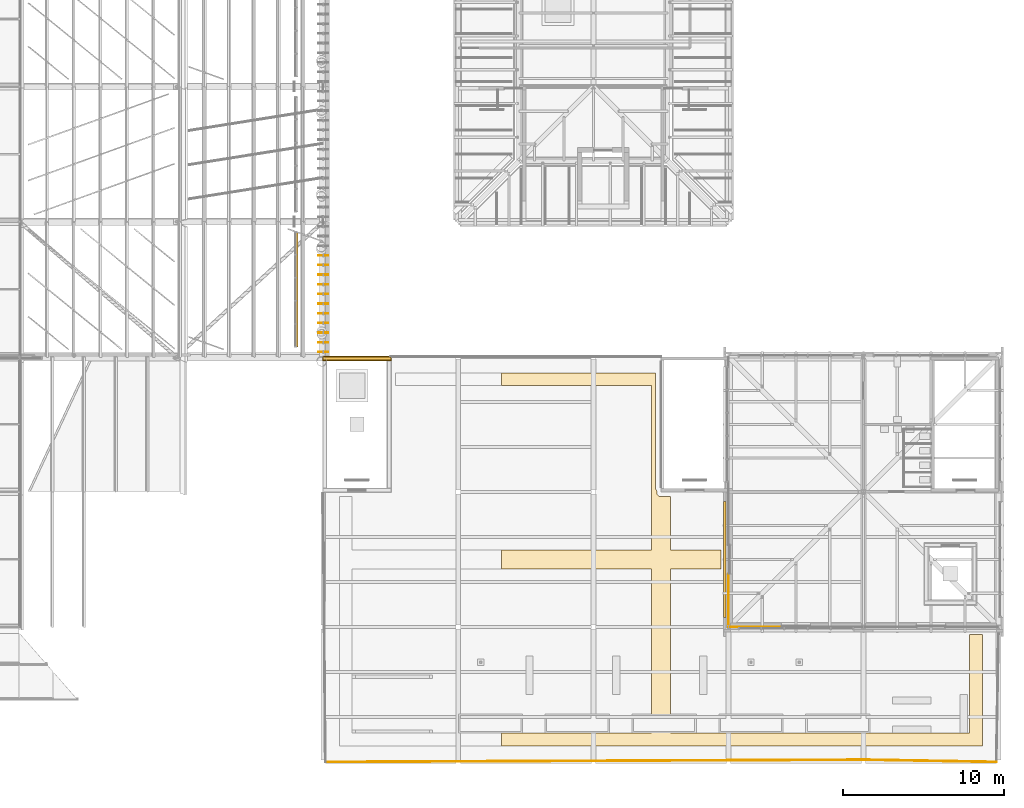
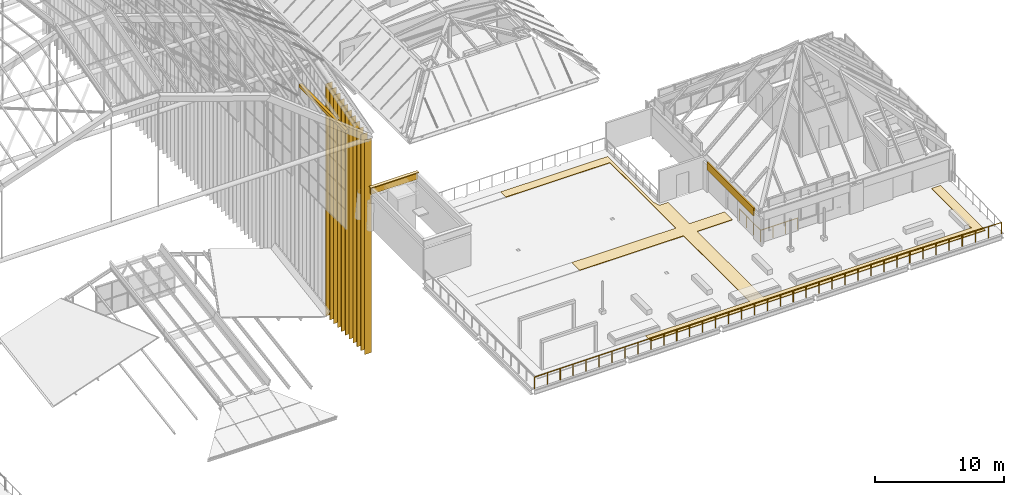
# One storey, part 104 of 126: 11 shading devices, 5 coverings, 4 railings.
"""IFC4 building model written with IfcOpenShell, lengths in metres."""

from ifc_helpers import new_model, si_unit, direction, frame, origin, origin_2d, place, context, subcontext, project, spatial, polyline, rectangle, circle, outline, extrude, material, layer, layer_set, material_profile, profile_set, type_object, element, save


model = new_model("IFC4")

# Units and contexts
model_context = context("Model", 3, precision=1e-05, world=origin(), true_north=direction((0.0, 1.0)))
body_context = subcontext(model_context, "Body", "Model", "MODEL_VIEW")
ifc_project = project(units=[si_unit("LENGTHUNIT", "METRE"), si_unit("AREAUNIT", "SQUARE_METRE"), si_unit("VOLUMEUNIT", "CUBIC_METRE"), si_unit("PLANEANGLEUNIT", "RADIAN"), si_unit("MASSUNIT", "GRAM", prefix="KILO")], contexts=[model_context])

# Site, building, storey
site_placement = place(None, origin())
site = spatial("IfcSite", under=ifc_project, at=site_placement, CompositionType="ELEMENT")
building_placement = place(site_placement, origin())
building = spatial("IfcBuilding", under=site, at=building_placement, Name="Sava Quay Ferry Terminal", CompositionType="ELEMENT")
storey_placement = place(building_placement, frame((0.0, 0.0, 15.0)))
storey = spatial("IfcBuildingStorey", under=building, at=storey_placement, Name="L03", CompositionType="ELEMENT", Elevation=15.0)

# Covering
ifc_material_1 = material(Name="Copper patinated")
ifc_layer_1 = layer(ifc_material_1, 0.25)
ifc_layer_set_1 = layer_set([ifc_layer_1], Name="Copper patinated")
covering_type_1 = type_object("IfcCoveringType", Name="Copper spandrel panel 250", PredefinedType="CLADDING", material=ifc_layer_set_1)
covering_1_placement = place(storey_placement, frame((82.300048828125, 51.0, 9.10009765625), z_axis=(0.0, 0.0, 1.0), x_axis=(0.0, 1.0, 0.0)))
element("IfcCovering", 1, at=covering_1_placement, inside=storey, type_object=covering_type_1, Name="Spandrel panel D-E", PredefinedType="CLADDING", context=body_context, shape_type="SweptSolid", body=[
    extrude(outline(polyline([(0.0, 0.0), (7.199951171875, 0.0), (7.199951171875, 0.31640625), (0.0, 0.31640625), (0.0, 0.0)])), frame((0.0, 0.125, 0.0), z_axis=(0.0, -1.0, 0.0), x_axis=(1.0, 0.0, 0.0)), (0.0, 0.0, 1.0), 0.25),
])

# Railings
ifc_material_2 = material(Name="Steel S355", Category="steel")
railing_type_1 = type_object("IfcRailingType", Name="Edge guard 1100", PredefinedType="GUARDRAIL", material=ifc_material_2)
railing_1_placement = place(storey_placement, frame((117.739990234375, 25.340087890625, 0.0)))
element("IfcRailing", 2, at=railing_1_placement, inside=storey, type_object=railing_type_1, Name="Terrace edge guard", PredefinedType="GUARDRAIL", context=body_context, shape_type="SweptSolid", body=[
    extrude(circle(Radius=0.02392578125, at=origin_2d()), frame((0.0, 0.0, 1.076171875), z_axis=(-0.999991302646, -0.004170687281, 0.0), x_axis=(0.004170687281, -0.999991302646, 0.0)), (0.0, 0.0, 1.0), 33.600341796875),
    extrude(circle(Radius=0.02099609375, at=origin_2d()), origin(), (0.0, 0.0, 1.0), 1.052001953125),
    extrude(circle(Radius=0.02099609375, at=origin_2d()), frame((-1.15869140625, -0.0048828125, 0.0)), (0.0, 0.0, 1.0), 1.052001953125),
    extrude(circle(Radius=0.02099609375, at=origin_2d()), frame((-2.317138671875, -0.009765625, 0.0)), (0.0, 0.0, 1.0), 1.052001953125),
    extrude(circle(Radius=0.02099609375, at=origin_2d()), frame((-3.475830078125, -0.014404296875, 0.0)), (0.0, 0.0, 1.0), 1.052001953125),
    extrude(circle(Radius=0.02099609375, at=origin_2d()), frame((-4.634521484375, -0.019287109375, 0.0)), (0.0, 0.0, 1.0), 1.052001953125),
    extrude(circle(Radius=0.02099609375, at=origin_2d()), frame((-5.793212890625, -0.024169921875, 0.0)), (0.0, 0.0, 1.0), 1.052001953125),
    extrude(circle(Radius=0.02099609375, at=origin_2d()), frame((-6.95166015625, -0.029052734375, 0.0)), (0.0, 0.0, 1.0), 1.052001953125),
    extrude(circle(Radius=0.02099609375, at=origin_2d()), frame((-8.1103515625, -0.033935546875, 0.0)), (0.0, 0.0, 1.0), 1.052001953125),
    extrude(circle(Radius=0.02099609375, at=origin_2d()), frame((-9.26904296875, -0.03857421875, 0.0)), (0.0, 0.0, 1.0), 1.052001953125),
    extrude(circle(Radius=0.02099609375, at=origin_2d()), frame((-10.427734375, -0.04345703125, 0.0)), (0.0, 0.0, 1.0), 1.052001953125),
    extrude(circle(Radius=0.02099609375, at=origin_2d()), frame((-11.586181640625, -0.04833984375, 0.0)), (0.0, 0.0, 1.0), 1.052001953125),
    extrude(circle(Radius=0.02099609375, at=origin_2d()), frame((-12.744873046875, -0.05322265625, 0.0)), (0.0, 0.0, 1.0), 1.052001953125),
    extrude(circle(Radius=0.02099609375, at=origin_2d()), frame((-13.903564453125, -0.05810546875, 0.0)), (0.0, 0.0, 1.0), 1.052001953125),
    extrude(circle(Radius=0.02099609375, at=origin_2d()), frame((-15.06201171875, -0.062744140625, 0.0)), (0.0, 0.0, 1.0), 1.052001953125),
    extrude(circle(Radius=0.02099609375, at=origin_2d()), frame((-16.220703125, -0.067626953125, 0.0)), (0.0, 0.0, 1.0), 1.052001953125),
    extrude(circle(Radius=0.02099609375, at=origin_2d()), frame((-17.37939453125, -0.072509765625, 0.0)), (0.0, 0.0, 1.0), 1.052001953125),
    extrude(circle(Radius=0.02099609375, at=origin_2d()), frame((-18.5380859375, -0.077392578125, 0.0)), (0.0, 0.0, 1.0), 1.052001953125),
    extrude(circle(Radius=0.02099609375, at=origin_2d()), frame((-19.696533203125, -0.08203125, 0.0)), (0.0, 0.0, 1.0), 1.052001953125),
    extrude(circle(Radius=0.02099609375, at=origin_2d()), frame((-20.855224609375, -0.0869140625, 0.0)), (0.0, 0.0, 1.0), 1.052001953125),
    extrude(circle(Radius=0.02099609375, at=origin_2d()), frame((-22.013916015625, -0.091796875, 0.0)), (0.0, 0.0, 1.0), 1.052001953125),
    extrude(circle(Radius=0.02099609375, at=origin_2d()), frame((-23.17236328125, -0.0966796875, 0.0)), (0.0, 0.0, 1.0), 1.052001953125),
    extrude(circle(Radius=0.02099609375, at=origin_2d()), frame((-24.3310546875, -0.1015625, 0.0)), (0.0, 0.0, 1.0), 1.052001953125),
    extrude(circle(Radius=0.02099609375, at=origin_2d()), frame((-25.48974609375, -0.106201171875, 0.0)), (0.0, 0.0, 1.0), 1.052001953125),
    extrude(circle(Radius=0.02099609375, at=origin_2d()), frame((-26.6484375, -0.111083984375, 0.0)), (0.0, 0.0, 1.0), 1.052001953125),
    extrude(circle(Radius=0.02099609375, at=origin_2d()), frame((-27.806884765625, -0.115966796875, 0.0)), (0.0, 0.0, 1.0), 1.052001953125),
    extrude(circle(Radius=0.02099609375, at=origin_2d()), frame((-28.965576171875, -0.120849609375, 0.0)), (0.0, 0.0, 1.0), 1.052001953125),
    extrude(circle(Radius=0.02099609375, at=origin_2d()), frame((-30.124267578125, -0.125732421875, 0.0)), (0.0, 0.0, 1.0), 1.052001953125),
    extrude(circle(Radius=0.02099609375, at=origin_2d()), frame((-31.282958984375, -0.13037109375, 0.0)), (0.0, 0.0, 1.0), 1.052001953125),
    extrude(circle(Radius=0.02099609375, at=origin_2d()), frame((-32.44140625, -0.13525390625, 0.0)), (0.0, 0.0, 1.0), 1.052001953125),
    extrude(circle(Radius=0.02099609375, at=origin_2d()), frame((-33.60009765625, -0.14013671875, 0.0)), (0.0, 0.0, 1.0), 1.052001953125),
])
railing_2_placement = place(storey_placement, frame((125.860107421875, 25.199951171875, 0.0)))
element("IfcRailing", 3, at=railing_2_placement, inside=storey, type_object=railing_type_1, Name="Terrace edge guard", PredefinedType="GUARDRAIL", context=body_context, shape_type="SweptSolid", body=[
    extrude(circle(Radius=0.02392578125, at=origin_2d()), frame((0.0, 0.0, 1.076171875), z_axis=(-0.999851114535, 0.017255398068, 0.0), x_axis=(-0.017255398068, -0.999851114535, 0.0)), (0.0, 0.0, 1.0), 8.121337890625),
    extrude(circle(Radius=0.02099609375, at=origin_2d()), origin(), (0.0, 0.0, 1.0), 1.052001953125),
    extrude(circle(Radius=0.02099609375, at=origin_2d()), frame((-1.159912109375, 0.02001953125, 0.0)), (0.0, 0.0, 1.0), 1.052001953125),
    extrude(circle(Radius=0.02099609375, at=origin_2d()), frame((-2.320068359375, 0.0400390625, 0.0)), (0.0, 0.0, 1.0), 1.052001953125),
    extrude(circle(Radius=0.02099609375, at=origin_2d()), frame((-3.47998046875, 0.06005859375, 0.0)), (0.0, 0.0, 1.0), 1.052001953125),
    extrude(circle(Radius=0.02099609375, at=origin_2d()), frame((-4.64013671875, 0.080078125, 0.0)), (0.0, 0.0, 1.0), 1.052001953125),
    extrude(circle(Radius=0.02099609375, at=origin_2d()), frame((-5.800048828125, 0.10009765625, 0.0)), (0.0, 0.0, 1.0), 1.052001953125),
    extrude(circle(Radius=0.02099609375, at=origin_2d()), frame((-6.960205078125, 0.1201171875, 0.0)), (0.0, 0.0, 1.0), 1.052001953125),
    extrude(circle(Radius=0.02099609375, at=origin_2d()), frame((-8.1201171875, 0.14013671875, 0.0)), (0.0, 0.0, 1.0), 1.052001953125),
])
ifc_material_3 = material(Name="Steel S355", Category="steel")
railing_type_2 = type_object("IfcRailingType", Name="Guard 1100", PredefinedType="GUARDRAIL", material=ifc_material_3)
railing_3_placement = place(storey_placement, frame((109.199951171875, 33.60009765625, 0.0)))
element("IfcRailing", 4, at=railing_3_placement, inside=storey, type_object=railing_type_2, Name="Mezzanine guard", PredefinedType="GUARDRAIL", context=body_context, shape_type="SweptSolid", body=[
    extrude(circle(Radius=0.02392578125, at=origin_2d()), frame((0.0, 0.0, 1.076171875), z_axis=(1.0, 0.0, 0.0), x_axis=(0.0, 1.0, 0.0)), (0.0, 0.0, 1.0), 3.300048828125),
    extrude(circle(Radius=0.02099609375, at=origin_2d()), origin(), (0.0, 0.0, 1.0), 1.052001953125),
    extrude(circle(Radius=0.02099609375, at=origin_2d()), frame((1.10009765625, 0.0, 0.0)), (0.0, 0.0, 1.0), 1.052001953125),
    extrude(circle(Radius=0.02099609375, at=origin_2d()), frame((2.199951171875, 0.0, 0.0)), (0.0, 0.0, 1.0), 1.052001953125),
    extrude(circle(Radius=0.02099609375, at=origin_2d()), frame((3.300048828125, 0.0, 0.0)), (0.0, 0.0, 1.0), 1.052001953125),
])
railing_4_placement = place(storey_placement, frame((109.199951171875, 33.60009765625, 0.0)))
element("IfcRailing", 5, at=railing_4_placement, inside=storey, type_object=railing_type_2, Name="Mezzanine guard", PredefinedType="GUARDRAIL", context=body_context, shape_type="SweptSolid", body=[
    extrude(circle(Radius=0.02392578125, at=origin_2d()), frame((0.0, 0.0, 1.076171875), z_axis=(0.0, 1.0, 0.0), x_axis=(-1.0, 0.0, 0.0)), (0.0, 0.0, 1.0), 3.2998046875),
    extrude(circle(Radius=0.02099609375, at=origin_2d()), origin(), (0.0, 0.0, 1.0), 1.052001953125),
    extrude(circle(Radius=0.02099609375, at=origin_2d()), frame((0.0, 1.099853515625, 0.0)), (0.0, 0.0, 1.0), 1.052001953125),
    extrude(circle(Radius=0.02099609375, at=origin_2d()), frame((0.0, 2.199951171875, 0.0)), (0.0, 0.0, 1.0), 1.052001953125),
    extrude(circle(Radius=0.02099609375, at=origin_2d()), frame((0.0, 3.2998046875, 0.0)), (0.0, 0.0, 1.0), 1.052001953125),
])

# Coverings
ifc_material_4 = material(Name="Limestone Mutalj", Category="masonry")
ifc_layer_2 = layer(ifc_material_4, 0.14990234375)
ifc_layer_set_2 = layer_set([ifc_layer_2], Name="Limestone Mutalj")
covering_type_2 = type_object("IfcCoveringType", Name="Limestone string course 150", PredefinedType="CLADDING", material=ifc_layer_set_2)
covering_2_placement = place(storey_placement, frame((0.0, 0.0, 2.14990234375)))
element("IfcCovering", 6, at=covering_2_placement, inside=storey, type_object=covering_type_2, Name="String course P-W-PAV", PredefinedType="CLADDING", context=body_context, shape_type="SweptSolid", body=[
    extrude(outline(polyline([(109.050048828125, 34.199951171875), (109.050048828125, 41.39990234375), (108.89990234375, 41.39990234375), (108.89990234375, 34.199951171875), (109.050048828125, 34.199951171875)])), origin(), (0.0, 0.0, 1.0), 0.75),
])
ifc_material_5 = material(Name="Limestone Mutalj", Category="masonry")
ifc_layer_3 = layer(ifc_material_5, 0.050048828125)
ifc_layer_set_3 = layer_set([ifc_layer_3], Name="Limestone Mutalj")
covering_type_3 = type_object("IfcCoveringType", Name="Overrun coping 300", PredefinedType="MOLDING", material=ifc_layer_set_3)
covering_3_placement = place(storey_placement, frame((86.10009765625, 50.300048828125, 3.7998046875), z_axis=(0.0, 0.0, 1.0), x_axis=(1.0, 0.0, 0.0)))
element("IfcCovering", 7, at=covering_3_placement, inside=storey, type_object=covering_type_3, Name="Overrun coping ST-P1 N", PredefinedType="MOLDING", context=body_context, shape_type="SweptSolid", body=[
    extrude(rectangle(XDim=4.300048828125, YDim=0.300048828125, at=origin_2d()), origin(), (0.0, 0.0, 1.0), 0.050048828125),
])
ifc_material_6 = material(Name="Limestone Mutalj", Category="masonry")
ifc_layer_4 = layer(ifc_material_6, 0.199951171875)
ifc_layer_set_4 = layer_set([ifc_layer_4], Name="Limestone Mutalj")
covering_type_4 = type_object("IfcCoveringType", Name="Overrun parapet 200", PredefinedType="MOLDING", material=ifc_layer_set_4)
covering_4_placement = place(storey_placement, frame((86.10009765625, 50.300048828125, 3.199951171875), z_axis=(0.0, 0.0, 1.0), x_axis=(1.0, 0.0, 0.0)))
element("IfcCovering", 8, at=covering_4_placement, inside=storey, type_object=covering_type_4, Name="Overrun parapet ST-P1 N", PredefinedType="MOLDING", context=body_context, shape_type="SweptSolid", body=[
    extrude(rectangle(XDim=4.199951171875, YDim=0.199951171875, at=origin_2d()), origin(), (0.0, 0.0, 1.0), 0.60009765625),
])
ifc_material_7 = material(Name="Limestone Mutalj", Category="masonry")
ifc_layer_5 = layer(ifc_material_7, 0.050048828125)
ifc_layer_set_5 = layer_set([ifc_layer_5], Name="Limestone Mutalj")
covering_type_5 = type_object("IfcCoveringType", Name="Stone paving band 50", PredefinedType="FLOORING", material=ifc_layer_set_5)
covering_5_placement = place(storey_placement, origin())
element("IfcCovering", 9, at=covering_5_placement, inside=storey, type_object=covering_type_5, Name="Stone paving band", PredefinedType="FLOORING", context=body_context, shape_type="SweptSolid", body=[
    extrude(outline(polyline([(95.10009765625, 48.60009765625), (104.39990234375, 48.60009765625), (104.39990234375, 38.39990234375), (95.10009765625, 38.39990234375), (95.10009765625, 37.199951171875), (104.39990234375, 37.199951171875), (104.39990234375, 27.0), (95.10009765625, 27.0), (95.10009765625, 26.199951171875), (125.0, 26.199951171875), (125.0, 33.139892578125), (124.199951171875, 33.139892578125), (124.199951171875, 27.0), (105.60009765625, 27.0), (105.60009765625, 37.199951171875), (108.75, 37.199951171875), (108.75, 38.39990234375), (105.60009765625, 38.39990234375), (105.60009765625, 41.699951171875), (105.0, 41.699951171875), (104.97509765625, 41.700927734375), (104.950927734375, 41.705078125), (104.927001953125, 41.7109375), (104.904052734375, 41.718994140625), (104.882080078125, 41.72998046875), (104.861083984375, 41.741943359375), (104.841064453125, 41.757080078125), (104.822998046875, 41.77294921875), (104.806884765625, 41.791015625), (104.7919921875, 41.81103515625), (104.780029296875, 41.83203125), (104.76904296875, 41.85400390625), (104.760986328125, 41.876953125), (104.7548828125, 41.90087890625), (104.7509765625, 41.925048828125), (104.75, 42.050048828125), (104.72998046875, 42.08203125), (104.714111328125, 42.118896484375), (104.697021484375, 42.14404296875), (104.68603515625, 42.166015625), (104.672119140625, 42.197998046875), (104.658935546875, 42.239990234375), (104.653076171875, 42.27392578125), (104.65087890625, 42.298095703125), (104.64990234375, 49.39990234375), (95.10009765625, 49.39990234375), (95.10009765625, 48.60009765625)])), origin(), (0.0, 0.0, 1.0), 0.050048828125),
])

# Shading devices
ifc_material_8 = material(Name="Aluminium bronze anodised", Category="aluminium")
ifc_material_profile = material_profile(ifc_material_8, rectangle(XDim=0.0400390625, YDim=0.60009765625, at=origin_2d()), Name="Vertical brise-soleil blade 40x600")
ifc_profile_set = profile_set([ifc_material_profile], Name="Aluminium bronze anodised")
shading_device_type = type_object("IfcShadingDeviceType", Name="Vertical brise-soleil blade 40x600", PredefinedType="USERDEFINED", material=ifc_profile_set)
shading_device_1_placement = place(storey_placement, frame((84.0, 50.699951171875, -12.10009765625), z_axis=(0.0, 0.0, 1.0), x_axis=(0.0, 1.0, 0.0)))
element("IfcShadingDevice", 10, at=shading_device_1_placement, inside=storey, type_object=shading_device_type, Name="Brise-soleil blade D-E 1", ObjectType="BRISE-SOLEIL BLADE", PredefinedType="USERDEFINED", context=body_context, shape_type="SweptSolid", body=[
    extrude(rectangle(XDim=0.0400390625, YDim=0.60009765625, at=origin_2d()), origin(), (0.0, 0.0, 1.0), 20.23583984375),
])
shading_device_2_placement = place(storey_placement, frame((84.0, 51.300048828125, -12.10009765625), z_axis=(0.0, 0.0, 1.0), x_axis=(0.0, 1.0, 0.0)))
element("IfcShadingDevice", 11, at=shading_device_2_placement, inside=storey, type_object=shading_device_type, Name="Brise-soleil blade D-E 2", ObjectType="BRISE-SOLEIL BLADE", PredefinedType="USERDEFINED", context=body_context, shape_type="SweptSolid", body=[
    extrude(rectangle(XDim=0.0400390625, YDim=0.60009765625, at=origin_2d()), origin(), (0.0, 0.0, 1.0), 20.404052734375),
])
shading_device_3_placement = place(storey_placement, frame((84.0, 51.89990234375, -12.10009765625), z_axis=(0.0, 0.0, 1.0), x_axis=(0.0, 1.0, 0.0)))
element("IfcShadingDevice", 12, at=shading_device_3_placement, inside=storey, type_object=shading_device_type, Name="Brise-soleil blade D-E 3", ObjectType="BRISE-SOLEIL BLADE", PredefinedType="USERDEFINED", context=body_context, shape_type="SweptSolid", body=[
    extrude(rectangle(XDim=0.0400390625, YDim=0.60009765625, at=origin_2d()), origin(), (0.0, 0.0, 1.0), 20.572509765625),
])
shading_device_4_placement = place(storey_placement, frame((84.0, 52.5, -12.10009765625), z_axis=(0.0, 0.0, 1.0), x_axis=(0.0, 1.0, 0.0)))
element("IfcShadingDevice", 13, at=shading_device_4_placement, inside=storey, type_object=shading_device_type, Name="Brise-soleil blade D-E 4", ObjectType="BRISE-SOLEIL BLADE", PredefinedType="USERDEFINED", context=body_context, shape_type="SweptSolid", body=[
    extrude(rectangle(XDim=0.0400390625, YDim=0.60009765625, at=origin_2d()), origin(), (0.0, 0.0, 1.0), 20.740966796875),
])
shading_device_5_placement = place(storey_placement, frame((84.0, 53.10009765625, -12.10009765625), z_axis=(0.0, 0.0, 1.0), x_axis=(0.0, 1.0, 0.0)))
element("IfcShadingDevice", 14, at=shading_device_5_placement, inside=storey, type_object=shading_device_type, Name="Brise-soleil blade D-E 5", ObjectType="BRISE-SOLEIL BLADE", PredefinedType="USERDEFINED", context=body_context, shape_type="SweptSolid", body=[
    extrude(rectangle(XDim=0.0400390625, YDim=0.60009765625, at=origin_2d()), origin(), (0.0, 0.0, 1.0), 20.9091796875),
])
shading_device_6_placement = place(storey_placement, frame((84.0, 53.699951171875, -12.10009765625), z_axis=(0.0, 0.0, 1.0), x_axis=(0.0, 1.0, 0.0)))
element("IfcShadingDevice", 15, at=shading_device_6_placement, inside=storey, type_object=shading_device_type, Name="Brise-soleil blade D-E 6", ObjectType="BRISE-SOLEIL BLADE", PredefinedType="USERDEFINED", context=body_context, shape_type="SweptSolid", body=[
    extrude(rectangle(XDim=0.0400390625, YDim=0.60009765625, at=origin_2d()), origin(), (0.0, 0.0, 1.0), 21.07763671875),
])
shading_device_7_placement = place(storey_placement, frame((84.0, 54.300048828125, -12.10009765625), z_axis=(0.0, 0.0, 1.0), x_axis=(0.0, 1.0, 0.0)))
element("IfcShadingDevice", 16, at=shading_device_7_placement, inside=storey, type_object=shading_device_type, Name="Brise-soleil blade D-E 7", ObjectType="BRISE-SOLEIL BLADE", PredefinedType="USERDEFINED", context=body_context, shape_type="SweptSolid", body=[
    extrude(rectangle(XDim=0.0400390625, YDim=0.60009765625, at=origin_2d()), origin(), (0.0, 0.0, 1.0), 21.245849609375),
])
shading_device_8_placement = place(storey_placement, frame((84.0, 54.89990234375, -12.10009765625), z_axis=(0.0, 0.0, 1.0), x_axis=(0.0, 1.0, 0.0)))
element("IfcShadingDevice", 17, at=shading_device_8_placement, inside=storey, type_object=shading_device_type, Name="Brise-soleil blade D-E 8", ObjectType="BRISE-SOLEIL BLADE", PredefinedType="USERDEFINED", context=body_context, shape_type="SweptSolid", body=[
    extrude(rectangle(XDim=0.0400390625, YDim=0.60009765625, at=origin_2d()), origin(), (0.0, 0.0, 1.0), 21.414306640625),
])
shading_device_9_placement = place(storey_placement, frame((84.0, 55.5, -12.10009765625), z_axis=(0.0, 0.0, 1.0), x_axis=(0.0, 1.0, 0.0)))
element("IfcShadingDevice", 18, at=shading_device_9_placement, inside=storey, type_object=shading_device_type, Name="Brise-soleil blade D-E 9", ObjectType="BRISE-SOLEIL BLADE", PredefinedType="USERDEFINED", context=body_context, shape_type="SweptSolid", body=[
    extrude(rectangle(XDim=0.0400390625, YDim=0.60009765625, at=origin_2d()), origin(), (0.0, 0.0, 1.0), 21.58251953125),
])
shading_device_10_placement = place(storey_placement, frame((84.0, 56.10009765625, -12.10009765625), z_axis=(0.0, 0.0, 1.0), x_axis=(0.0, 1.0, 0.0)))
element("IfcShadingDevice", 19, at=shading_device_10_placement, inside=storey, type_object=shading_device_type, Name="Brise-soleil blade D-E 10", ObjectType="BRISE-SOLEIL BLADE", PredefinedType="USERDEFINED", context=body_context, shape_type="SweptSolid", body=[
    extrude(rectangle(XDim=0.0400390625, YDim=0.60009765625, at=origin_2d()), origin(), (0.0, 0.0, 1.0), 21.7509765625),
])
shading_device_11_placement = place(storey_placement, frame((84.0, 56.699951171875, -12.10009765625), z_axis=(0.0, 0.0, 1.0), x_axis=(0.0, 1.0, 0.0)))
element("IfcShadingDevice", 20, at=shading_device_11_placement, inside=storey, type_object=shading_device_type, Name="Brise-soleil blade D-E 11", ObjectType="BRISE-SOLEIL BLADE", PredefinedType="USERDEFINED", context=body_context, shape_type="SweptSolid", body=[
    extrude(rectangle(XDim=0.0400390625, YDim=0.60009765625, at=origin_2d()), origin(), (0.0, 0.0, 1.0), 21.91943359375),
])

save(model, "model.ifc")
